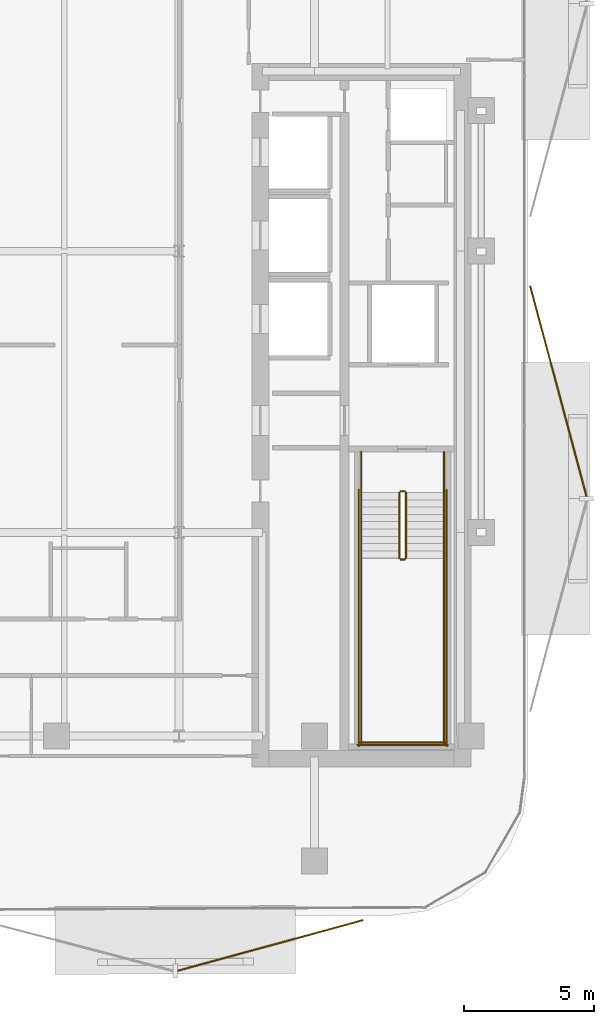
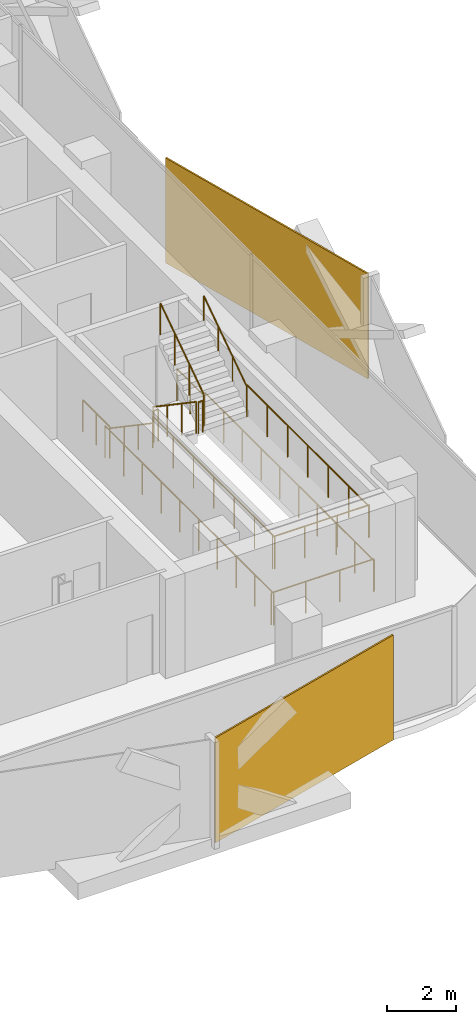
# One storey, part 15 of 17: 14 railings, 2 coverings.
"""IFC4 building model written with IfcOpenShell, lengths in metres."""

from ifc_helpers import new_model, si_unit, direction, frame, origin, origin_2d, place, context, subcontext, project, spatial, rectangle, circle, extrude, material, layer, layer_set, type_object, element, save


model = new_model("IFC4")

# Units and contexts
model_context = context("Model", 3, precision=1e-05, world=origin(), true_north=direction((0.0, 1.0)))
body_context = subcontext(model_context, "Body", "Model", "MODEL_VIEW")
ifc_project = project(units=[si_unit("LENGTHUNIT", "METRE"), si_unit("AREAUNIT", "SQUARE_METRE"), si_unit("VOLUMEUNIT", "CUBIC_METRE"), si_unit("PLANEANGLEUNIT", "RADIAN"), si_unit("MASSUNIT", "GRAM", prefix="KILO")], contexts=[model_context])

# Site, building, storey
site_placement = place(None, origin())
site = spatial("IfcSite", under=ifc_project, at=site_placement, CompositionType="ELEMENT")
building_placement = place(site_placement, origin())
building = spatial("IfcBuilding", under=site, at=building_placement, Name="Khairoan Windgate Tower", CompositionType="ELEMENT")
storey_placement = place(building_placement, frame((0.0, 0.0, 165.0)))
storey = spatial("IfcBuildingStorey", under=building, at=storey_placement, Name="L37", CompositionType="ELEMENT", Elevation=165.0)

# Coverings
ifc_material_1 = material(Name="Anodised Bronze Aluminium 6063-T6", Category="aluminium")
ifc_layer = layer(ifc_material_1, 0.054931640625, Name="Anodised Bronze Aluminium 6063-T6")
ifc_layer_set = layer_set([ifc_layer], Name="Anodised Bronze Aluminium 6063-T6")
covering_type = type_object("IfcCoveringType", Name="Perforated Bronze-Ceramic Folded Solar Screen Cladding BSC-1", PredefinedType="CLADDING", material=ifc_layer_set)
covering_1_placement = place(storey_placement, frame((12.712890625, -26.6376953125, -0.10009765625), z_axis=(0.0, 0.0, 1.0), x_axis=(-0.964649468762, -0.263536339841, 0.0)))
element("IfcCovering", 1, at=covering_1_placement, inside=storey, type_object=covering_type, Name="L37 Folded Bronze Solar Screen Facet 233L", PredefinedType="CLADDING", context=body_context, shape_type="SweptSolid", body=[
    extrude(rectangle(XDim=7.3759765625, YDim=0.054931640625, at=origin_2d()), origin(), (0.0, 0.0, 1.0), 3.739990234375),
])
covering_2_placement = place(storey_placement, frame((23.7587890625, -5.369873046875, -0.10009765625), z_axis=(0.0, 0.0, 1.0), x_axis=(0.258819045103, -0.965925826289, 0.0)))
element("IfcCovering", 2, at=covering_2_placement, inside=storey, type_object=covering_type, Name="L37 Folded Bronze Solar Screen Facet 240L", PredefinedType="CLADDING", context=body_context, shape_type="SweptSolid", body=[
    extrude(rectangle(XDim=8.35595703125, YDim=0.054931640625, at=origin_2d()), origin(), (0.0, 0.0, 1.0), 3.739990234375),
])

# Railings
ifc_material_2 = material(Name="Anodised Bronze Aluminium 6063-T6", Category="aluminium")
railing_type_1 = type_object("IfcRailingType", Name="Stair Wall Handrail SHR-900", PredefinedType="HANDRAIL", material=ifc_material_2)
railing_1_placement = place(storey_placement, frame((16.199951171875, -9.260009765625, 0.18994140625)))
element("IfcRailing", 3, at=railing_1_placement, inside=storey, type_object=railing_type_1, Name="L37 ST1 stair handrail 1", PredefinedType="HANDRAIL", context=body_context, shape_type="SweptSolid", body=[
    extrude(circle(Radius=0.02392578125, at=origin_2d()), frame((0.0, 0.0, 0.8759765625), z_axis=(0.0, -0.827483756001, 0.561489655786), x_axis=(1.0, 0.0, 0.0)), (0.0, 0.0, 1.0), 3.04541015625),
    extrude(circle(Radius=0.02099609375, at=origin_2d()), origin(), (0.0, 0.0, 1.0), 0.851806640625),
    extrude(circle(Radius=0.02099609375, at=origin_2d()), frame((0.0, -0.840087890625, 0.570068359375)), (0.0, 0.0, 1.0), 0.851806640625),
    extrude(circle(Radius=0.02099609375, at=origin_2d()), frame((0.0, -1.679931640625, 1.139892578125)), (0.0, 0.0, 1.0), 0.851806640625),
    extrude(circle(Radius=0.02099609375, at=origin_2d()), frame((0.0, -2.52001953125, 1.7099609375)), (0.0, 0.0, 1.0), 0.851806640625),
])
railing_2_placement = place(storey_placement, frame((19.3701171875, -11.780029296875, 2.090087890625)))
element("IfcRailing", 4, at=railing_2_placement, inside=storey, type_object=railing_type_1, Name="L37 ST1 stair handrail 2", PredefinedType="HANDRAIL", context=body_context, shape_type="SweptSolid", body=[
    extrude(circle(Radius=0.02392578125, at=origin_2d()), frame((0.0, 0.0, 0.8759765625), z_axis=(0.0, 0.827483756001, 0.561489655786), x_axis=(-1.0, 0.0, 0.0)), (0.0, 0.0, 1.0), 3.04541015625),
    extrude(circle(Radius=0.02099609375, at=origin_2d()), origin(), (0.0, 0.0, 1.0), 0.851806640625),
    extrude(circle(Radius=0.02099609375, at=origin_2d()), frame((0.0, 0.840087890625, 0.570068359375)), (0.0, 0.0, 1.0), 0.851806640625),
    extrude(circle(Radius=0.02099609375, at=origin_2d()), frame((0.0, 1.679931640625, 1.139892578125)), (0.0, 0.0, 1.0), 0.851806640625),
    extrude(circle(Radius=0.02099609375, at=origin_2d()), frame((0.0, 2.52001953125, 1.7099609375)), (0.0, 0.0, 1.0), 0.851806640625),
])
ifc_material_3 = material(Name="Steel S355", Category="steel")
railing_type_2 = type_object("IfcRailingType", Name="Stairwell Safety Guardrail SGR-1150", PredefinedType="GUARDRAIL", material=ifc_material_3)
railing_3_placement = place(storey_placement, frame((17.659912109375, -9.260009765625, 0.18994140625)))
element("IfcRailing", 5, at=railing_3_placement, inside=storey, type_object=railing_type_2, Name="L37 ST1 stair guard 1", PredefinedType="GUARDRAIL", context=body_context, shape_type="SweptSolid", body=[
    extrude(circle(Radius=0.02392578125, at=origin_2d()), frame((0.0, 0.0, 1.1259765625), z_axis=(0.0, -0.827483756001, 0.561489655786), x_axis=(1.0, 0.0, 0.0)), (0.0, 0.0, 1.0), 3.04541015625),
    extrude(circle(Radius=0.02099609375, at=origin_2d()), origin(), (0.0, 0.0, 1.0), 1.101806640625),
    extrude(circle(Radius=0.02099609375, at=origin_2d()), frame((0.0, -0.840087890625, 0.570068359375)), (0.0, 0.0, 1.0), 1.101806640625),
    extrude(circle(Radius=0.02099609375, at=origin_2d()), frame((0.0, -1.679931640625, 1.139892578125)), (0.0, 0.0, 1.0), 1.101806640625),
    extrude(circle(Radius=0.02099609375, at=origin_2d()), frame((0.0, -2.52001953125, 1.7099609375)), (0.0, 0.0, 1.0), 1.101806640625),
])
railing_4_placement = place(storey_placement, frame((17.7099609375, -11.830078125, 1.89990234375)))
element("IfcRailing", 6, at=railing_4_placement, inside=storey, type_object=railing_type_2, Name="L37 ST1 stair guard 2", PredefinedType="GUARDRAIL", context=body_context, shape_type="SweptSolid", body=[
    extrude(circle(Radius=0.02392578125, at=origin_2d()), frame((0.0, 0.0, 1.1259765625), z_axis=(1.0, 0.0, 0.0), x_axis=(0.0, 1.0, 0.0)), (0.0, 0.0, 1.0), 0.150146484375),
    extrude(circle(Radius=0.02099609375, at=origin_2d()), origin(), (0.0, 0.0, 1.0), 1.101806640625),
    extrude(circle(Radius=0.02099609375, at=origin_2d()), frame((0.150146484375, 0.0, 0.0)), (0.0, 0.0, 1.0), 1.101806640625),
])
for number, where, name in (
    (7, (16.199951171875, -11.780029296875, 1.89990234375), "L37 ST1 stair guard 3"),
    (8, (19.3701171875, -11.780029296875, 1.89990234375), "L37 ST1 stair guard 4"),
):
    element("IfcRailing", number, at=place(storey_placement, frame(where)), inside=storey, type_object=railing_type_2, Name=name, PredefinedType="GUARDRAIL", context=body_context, shape_type="SweptSolid", body=[
        extrude(circle(Radius=0.02392578125, at=origin_2d()), frame((0.0, 0.0, 1.1259765625), z_axis=(0.0, -1.0, 0.0), x_axis=(1.0, 0.0, 0.0)), (0.0, 0.0, 1.0), 7.119873046875),
        extrude(circle(Radius=0.02099609375, at=origin_2d()), origin(), (0.0, 0.0, 1.0), 1.101806640625),
        extrude(circle(Radius=0.02099609375, at=origin_2d()), frame((0.0, -1.1865234375, 0.0)), (0.0, 0.0, 1.0), 1.101806640625),
        extrude(circle(Radius=0.02099609375, at=origin_2d()), frame((0.0, -2.373291015625, 0.0)), (0.0, 0.0, 1.0), 1.101806640625),
        extrude(circle(Radius=0.02099609375, at=origin_2d()), frame((0.0, -3.56005859375, 0.0)), (0.0, 0.0, 1.0), 1.101806640625),
        extrude(circle(Radius=0.02099609375, at=origin_2d()), frame((0.0, -4.74658203125, 0.0)), (0.0, 0.0, 1.0), 1.101806640625),
        extrude(circle(Radius=0.02099609375, at=origin_2d()), frame((0.0, -5.93310546875, 0.0)), (0.0, 0.0, 1.0), 1.101806640625),
        extrude(circle(Radius=0.02099609375, at=origin_2d()), frame((0.0, -7.119873046875, 0.0)), (0.0, 0.0, 1.0), 1.101806640625),
    ])
railing_5_placement = place(storey_placement, frame((16.14990234375, -18.85009765625, 1.89990234375)))
element("IfcRailing", 9, at=railing_5_placement, inside=storey, type_object=railing_type_2, Name="L37 ST1 stair guard 5", PredefinedType="GUARDRAIL", context=body_context, shape_type="SweptSolid", body=[
    extrude(circle(Radius=0.02392578125, at=origin_2d()), frame((0.0, 0.0, 1.1259765625), z_axis=(1.0, 0.0, 0.0), x_axis=(0.0, 1.0, 0.0)), (0.0, 0.0, 1.0), 3.27001953125),
    extrude(circle(Radius=0.02099609375, at=origin_2d()), origin(), (0.0, 0.0, 1.0), 1.101806640625),
    extrude(circle(Radius=0.02099609375, at=origin_2d()), frame((1.090087890625, 0.0, 0.0)), (0.0, 0.0, 1.0), 1.101806640625),
    extrude(circle(Radius=0.02099609375, at=origin_2d()), frame((2.179931640625, 0.0, 0.0)), (0.0, 0.0, 1.0), 1.101806640625),
    extrude(circle(Radius=0.02099609375, at=origin_2d()), frame((3.27001953125, 0.0, 0.0)), (0.0, 0.0, 1.0), 1.101806640625),
])
railing_6_placement = place(storey_placement, frame((17.909912109375, -11.780029296875, 2.090087890625)))
element("IfcRailing", 10, at=railing_6_placement, inside=storey, type_object=railing_type_2, Name="L37 ST1 stair guard 6", PredefinedType="GUARDRAIL", context=body_context, shape_type="SweptSolid", body=[
    extrude(circle(Radius=0.02392578125, at=origin_2d()), frame((0.0, 0.0, 1.1259765625), z_axis=(0.0, 0.827483756001, 0.561489655786), x_axis=(-1.0, 0.0, 0.0)), (0.0, 0.0, 1.0), 3.04541015625),
    extrude(circle(Radius=0.02099609375, at=origin_2d()), origin(), (0.0, 0.0, 1.0), 1.101806640625),
    extrude(circle(Radius=0.02099609375, at=origin_2d()), frame((0.0, 0.840087890625, 0.570068359375)), (0.0, 0.0, 1.0), 1.101806640625),
    extrude(circle(Radius=0.02099609375, at=origin_2d()), frame((0.0, 1.679931640625, 1.139892578125)), (0.0, 0.0, 1.0), 1.101806640625),
    extrude(circle(Radius=0.02099609375, at=origin_2d()), frame((0.0, 2.52001953125, 1.7099609375)), (0.0, 0.0, 1.0), 1.101806640625),
])
railing_7_placement = place(storey_placement, frame((17.7099609375, -9.2099609375, 0.0)))
element("IfcRailing", 11, at=railing_7_placement, inside=storey, type_object=railing_type_2, Name="L37 ST1 stair guard 7", PredefinedType="GUARDRAIL", context=body_context, shape_type="SweptSolid", body=[
    extrude(circle(Radius=0.02392578125, at=origin_2d()), frame((0.0, 0.0, 1.1259765625), z_axis=(1.0, 0.0, 0.0), x_axis=(0.0, 1.0, 0.0)), (0.0, 0.0, 1.0), 0.150146484375),
    extrude(circle(Radius=0.02099609375, at=origin_2d()), origin(), (0.0, 0.0, 1.0), 1.101806640625),
    extrude(circle(Radius=0.02099609375, at=origin_2d()), frame((0.150146484375, 0.0, 0.0)), (0.0, 0.0, 1.0), 1.101806640625),
])
for number, where, name in (
    (12, (16.199951171875, -7.699951171875, 0.0), "L37 ST1 stair guard 8"),
    (13, (19.3701171875, -7.699951171875, 0.0), "L37 ST1 stair guard 9"),
):
    element("IfcRailing", number, at=place(storey_placement, frame(where)), inside=storey, type_object=railing_type_2, Name=name, PredefinedType="GUARDRAIL", context=body_context, shape_type="SweptSolid", body=[
        extrude(circle(Radius=0.02392578125, at=origin_2d()), frame((0.0, 0.0, 1.1259765625), z_axis=(0.0, -1.0, 0.0), x_axis=(1.0, 0.0, 0.0)), (0.0, 0.0, 1.0), 1.56005859375),
        extrude(circle(Radius=0.02099609375, at=origin_2d()), origin(), (0.0, 0.0, 1.0), 1.101806640625),
        extrude(circle(Radius=0.02099609375, at=origin_2d()), frame((0.0, -0.780029296875, 0.0)), (0.0, 0.0, 1.0), 1.101806640625),
        extrude(circle(Radius=0.02099609375, at=origin_2d()), frame((0.0, -1.56005859375, 0.0)), (0.0, 0.0, 1.0), 1.101806640625),
    ])
for number, where, name in (
    (14, (16.10009765625, -9.159912109375, 0.0), "L37 ST1 stair guard 10"),
    (15, (19.469970703125, -9.159912109375, 0.0), "L37 ST1 stair guard 11"),
):
    element("IfcRailing", number, at=place(storey_placement, frame(where)), inside=storey, type_object=railing_type_2, Name=name, PredefinedType="GUARDRAIL", context=body_context, shape_type="SweptSolid", body=[
        extrude(circle(Radius=0.02392578125, at=origin_2d()), frame((0.0, 0.0, 1.1259765625), z_axis=(0.0, -1.0, 0.0), x_axis=(1.0, 0.0, 0.0)), (0.0, 0.0, 1.0), 9.840087890625),
        extrude(circle(Radius=0.02099609375, at=origin_2d()), origin(), (0.0, 0.0, 1.0), 1.101806640625),
        extrude(circle(Radius=0.02099609375, at=origin_2d()), frame((0.0, -1.09326171875, 0.0)), (0.0, 0.0, 1.0), 1.101806640625),
        extrude(circle(Radius=0.02099609375, at=origin_2d()), frame((0.0, -2.186767578125, 0.0)), (0.0, 0.0, 1.0), 1.101806640625),
        extrude(circle(Radius=0.02099609375, at=origin_2d()), frame((0.0, -3.280029296875, 0.0)), (0.0, 0.0, 1.0), 1.101806640625),
        extrude(circle(Radius=0.02099609375, at=origin_2d()), frame((0.0, -4.373291015625, 0.0)), (0.0, 0.0, 1.0), 1.101806640625),
        extrude(circle(Radius=0.02099609375, at=origin_2d()), frame((0.0, -5.466796875, 0.0)), (0.0, 0.0, 1.0), 1.101806640625),
        extrude(circle(Radius=0.02099609375, at=origin_2d()), frame((0.0, -6.56005859375, 0.0)), (0.0, 0.0, 1.0), 1.101806640625),
        extrude(circle(Radius=0.02099609375, at=origin_2d()), frame((0.0, -7.6533203125, 0.0)), (0.0, 0.0, 1.0), 1.101806640625),
        extrude(circle(Radius=0.02099609375, at=origin_2d()), frame((0.0, -8.746826171875, 0.0)), (0.0, 0.0, 1.0), 1.101806640625),
        extrude(circle(Radius=0.02099609375, at=origin_2d()), frame((0.0, -9.840087890625, 0.0)), (0.0, 0.0, 1.0), 1.101806640625),
    ])
railing_8_placement = place(storey_placement, frame((16.050048828125, -18.949951171875, 0.0)))
element("IfcRailing", 16, at=railing_8_placement, inside=storey, type_object=railing_type_2, Name="L37 ST1 stair guard 12", PredefinedType="GUARDRAIL", context=body_context, shape_type="SweptSolid", body=[
    extrude(circle(Radius=0.02392578125, at=origin_2d()), frame((0.0, 0.0, 1.1259765625), z_axis=(1.0, 0.0, 0.0), x_axis=(0.0, 1.0, 0.0)), (0.0, 0.0, 1.0), 3.469970703125),
    extrude(circle(Radius=0.02099609375, at=origin_2d()), origin(), (0.0, 0.0, 1.0), 1.101806640625),
    extrude(circle(Radius=0.02099609375, at=origin_2d()), frame((1.15673828125, 0.0, 0.0)), (0.0, 0.0, 1.0), 1.101806640625),
    extrude(circle(Radius=0.02099609375, at=origin_2d()), frame((2.313232421875, 0.0, 0.0)), (0.0, 0.0, 1.0), 1.101806640625),
    extrude(circle(Radius=0.02099609375, at=origin_2d()), frame((3.469970703125, 0.0, 0.0)), (0.0, 0.0, 1.0), 1.101806640625),
])

save(model, "model.ifc")
